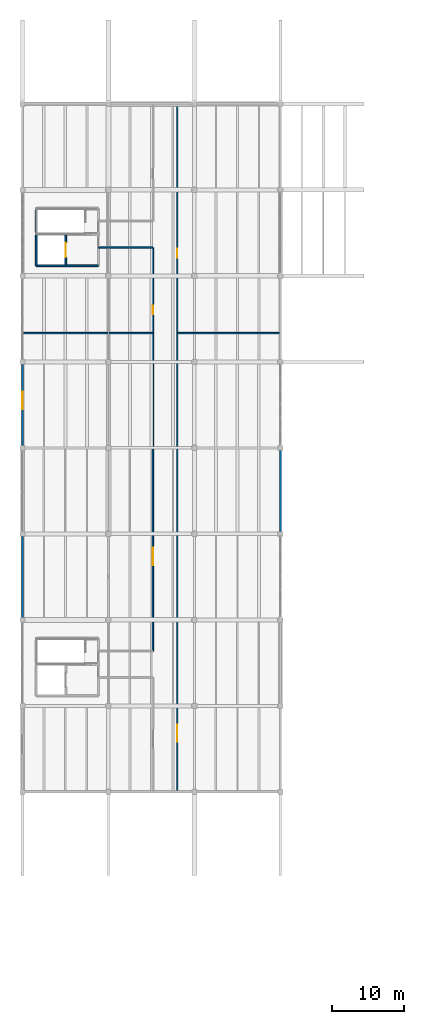
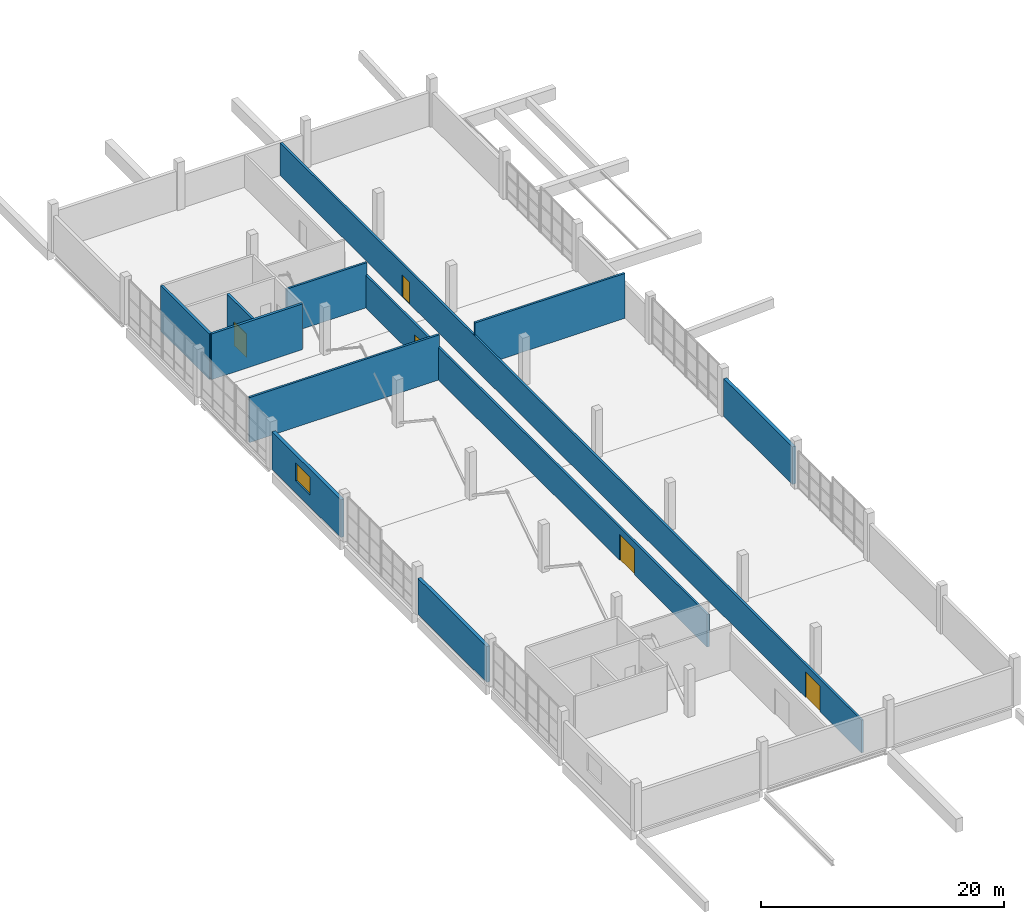
# One storey, part 39 of 49: 11 walls, 5 doors, 1 window, 6 openings.
"""IFC4 building model written with IfcOpenShell, lengths in metres."""

import ifcopenshell
import ifcopenshell.guid

model = None  # the IFC model being written
_history = None  # IfcOwnerHistory: only IFC2X3 demands one
_inside = {}  # id of a spatial element -> (the spatial element, [elements in it])
_under = {}  # id of a project, library or spatial element -> (it, [spatial elements below it])
_declared = {}  # id of a project -> (the project, [libraries it declares])
_typed = {}  # id of a type object -> (the type object, [elements of that type])
_made_of = {}  # id of a material, layer set ... -> (it, [elements and type objects made of it])


def new_model(schema):
    """Start an empty IFC model of exactly this schema.

    Asked for "IFC4X3", IfcOpenShell would pick the latest addendum, in which some entities
    have other attributes; the version numbers below select the first issue.
    IFC2X3 requires an IfcOwnerHistory on every rooted entity: one is made here for all.
    """
    global model, _history
    if schema == "IFC4X3":
        model = ifcopenshell.file(schema_version=(4, 3, 0, 0))
    else:
        model = ifcopenshell.file(schema=schema)
    _inside.clear()
    _under.clear()
    _declared.clear()
    _typed.clear()
    _made_of.clear()
    _history = None
    if model.schema == "IFC2X3":
        org = make("IfcOrganization", Name="unknown")
        user = make(
            "IfcPersonAndOrganization",
            ThePerson=make("IfcPerson", FamilyName="unknown"),
            TheOrganization=org,
        )
        app = make(
            "IfcApplication",
            ApplicationDeveloper=org,
            Version="unknown",
            ApplicationFullName="unknown",
            ApplicationIdentifier="unknown",
        )
        _history = make(
            "IfcOwnerHistory",
            OwningUser=user,
            OwningApplication=app,
            ChangeAction="ADDED",
            CreationDate=0,
        )
    return model


def make(cls, **values):
    """One entity of the class cls with the attributes given. An attribute that is None is left unset."""
    return model.create_entity(
        cls, **{name: value for name, value in values.items() if value is not None}
    )


def rooted(cls, **values):
    """An entity with a GlobalId (a new one), such as an element, a storey or a relation."""
    return make(cls, GlobalId=ifcopenshell.guid.new(), OwnerHistory=_history, **values)


def si_unit(unit_type, name, prefix=None):
    """IfcSIUnit, for example si_unit("LENGTHUNIT", "METRE", prefix="MILLI")."""
    return make("IfcSIUnit", UnitType=unit_type, Prefix=prefix, Name=name)


def assignment(units):
    """IfcUnitAssignment: the units of a project."""
    return None if units is None else make("IfcUnitAssignment", Units=units)


def point(xyz):
    """IfcCartesianPoint."""
    return None if xyz is None else make("IfcCartesianPoint", Coordinates=xyz)


def direction(xyz):
    """IfcDirection."""
    return None if xyz is None else make("IfcDirection", DirectionRatios=xyz)


def frame(location, z_axis=None, x_axis=None):
    """IfcAxis2Placement3D, a coordinate frame: its origin and axes. An axis left out is left unset."""
    return make(
        "IfcAxis2Placement3D",
        Location=point(location),
        Axis=direction(z_axis),
        RefDirection=direction(x_axis),
    )


def frame_2d(location, x_axis=None):
    """IfcAxis2Placement2D, a coordinate frame in the plane: its origin and x axis."""
    return make(
        "IfcAxis2Placement2D", Location=point(location), RefDirection=direction(x_axis)
    )


def origin():
    """The frame at (0, 0, 0) with its axes left unset."""
    return frame((0.0, 0.0, 0.0))


def place(relative_to, where):
    """IfcLocalPlacement: puts the frame where relative to a parent placement (None: the world)."""
    return make(
        "IfcLocalPlacement", PlacementRelTo=relative_to, RelativePlacement=where
    )


def context(
    kind, dimensions, precision=None, world=None, true_north=None, identifier=None
):
    """IfcGeometricRepresentationContext, for example the 3D "Model" context."""
    return make(
        "IfcGeometricRepresentationContext",
        ContextIdentifier=identifier,
        ContextType=kind,
        CoordinateSpaceDimension=dimensions,
        Precision=precision,
        WorldCoordinateSystem=world,
        TrueNorth=true_north,
    )


def subcontext(parent, identifier, kind, view, scale=None):
    """IfcGeometricRepresentationSubContext, for example "Body" below "Model"."""
    return make(
        "IfcGeometricRepresentationSubContext",
        ContextIdentifier=identifier,
        ContextType=kind,
        ParentContext=parent,
        TargetScale=scale,
        TargetView=view,
    )


def project(units=None, contexts=None):
    """IfcProject with its units and contexts."""
    return rooted(
        "IfcProject",
        Name="project",
        RepresentationContexts=contexts,
        UnitsInContext=assignment(units),
    )


def spatial(cls, under=None, at=None, **own):
    """A site, building, storey or space (cls), placed at a placement, below another one or the project."""
    s = rooted(cls, ObjectPlacement=at, **own)
    if under is not None:
        _under.setdefault(under.id(), (under, []))[1].append(s)
    return s


def profile(cls, at=None, kind="AREA", **sizes):
    """A parametric profile (cls). Its sizes go by their IFC names, for example OverallWidth=200.0."""
    return make(cls, ProfileType=kind, Position=at, **sizes)


def rectangle(**sizes):
    """IfcRectangleProfileDef."""
    return profile("IfcRectangleProfileDef", **sizes)


def extrude(swept, where, along, depth):
    """IfcExtrudedAreaSolid: the profile swept, set in the frame where, extruded along a direction by depth."""
    return make(
        "IfcExtrudedAreaSolid",
        SweptArea=swept,
        Position=where,
        ExtrudedDirection=direction(along),
        Depth=depth,
    )


def shape(context_of_items, identifier, shape_type, items):
    """IfcShapeRepresentation: the items that make up one representation, for example the "Body"."""
    return make(
        "IfcShapeRepresentation",
        ContextOfItems=context_of_items,
        RepresentationIdentifier=identifier,
        RepresentationType=shape_type,
        Items=items,
    )


def material(Name=None, Category=None):
    """IfcMaterial."""
    return make("IfcMaterial", Name=Name, Category=Category)


def layer(
    of_material, thickness, ventilated=None, Name=None, Category=None, Priority=None
):
    """IfcMaterialLayer: one layer of a wall or slab, of a material (None: an air gap)."""
    return make(
        "IfcMaterialLayer",
        Material=of_material,
        LayerThickness=thickness,
        IsVentilated=ventilated,
        Name=Name,
        Category=Category,
        Priority=Priority,
    )


def layer_set(layers, Name=None):
    """IfcMaterialLayerSet."""
    return make("IfcMaterialLayerSet", MaterialLayers=layers, LayerSetName=Name)


def made_of(thing, what):
    """Note that an element or type object is made of a material, layer set ...; save() writes the relation."""
    if what is not None:
        _made_of.setdefault(what.id(), (what, []))[1].append(thing)
    return thing


def type_object(cls, material=None, **own):
    """A type object (cls), such as IfcWallType, which elements share."""
    return made_of(rooted(cls, **own), material)


def element(
    cls,
    number,
    at=None,
    inside=None,
    cuts=None,
    type_object=None,
    material=None,
    context=None,
    identifier="Body",
    shape_type=None,
    held_by="IfcProductDefinitionShape",
    body=None,
    shapes=None,
    **own,
):
    """One element of the class cls, such as IfcWall. Its Tag is "e" and its number.

    at: its placement. inside: the storey or other place that contains it. cuts: it is an
    opening in that element (IfcRelVoidsElement). A single representation is given by context,
    identifier, shape_type and body (its items); several are given by shapes. held_by: the class
    of the entity that holds the representations. save() writes the other relations.
    """
    e = rooted(cls, Tag="e%d" % number, ObjectPlacement=at, **own)
    if body is not None:
        shapes = [shape(context, identifier, shape_type, body)]
    if shapes is not None:
        e.Representation = make(held_by, Representations=shapes)
    if inside is not None:
        _inside.setdefault(inside.id(), (inside, []))[1].append(e)
    if cuts is not None:
        rooted(
            "IfcRelVoidsElement", RelatingBuildingElement=cuts, RelatedOpeningElement=e
        )
    if type_object is not None:
        _typed.setdefault(type_object.id(), (type_object, []))[1].append(e)
    return made_of(e, material)


def fill(opening, filler):
    """IfcRelFillsElement: the door or window that sits in an opening."""
    return rooted(
        "IfcRelFillsElement",
        RelatingOpeningElement=opening,
        RelatedBuildingElement=filler,
    )


def aggregate(whole, parts):
    """IfcRelAggregates: a whole, such as a stair, and the parts it consists of."""
    return rooted("IfcRelAggregates", RelatingObject=whole, RelatedObjects=parts)


def save(model, path):
    """Write the relations noted so far, then the file.

    IfcRelAggregates (storeys below a building ...), IfcRelContainedInSpatialStructure (elements
    in a storey), IfcRelDefinesByType, IfcRelAssociatesMaterial and IfcRelDeclares: one each for
    every whole, place, type object, material and project.
    """
    for whole, parts in _under.values():
        aggregate(whole, parts)
    for where, things in _inside.values():
        rooted(
            "IfcRelContainedInSpatialStructure",
            RelatedElements=things,
            RelatingStructure=where,
        )
    for kind, things in _typed.values():
        rooted("IfcRelDefinesByType", RelatedObjects=things, RelatingType=kind)
    for what, things in _made_of.values():
        rooted("IfcRelAssociatesMaterial", RelatedObjects=things, RelatingMaterial=what)
    for by, libraries in _declared.values():
        rooted("IfcRelDeclares", RelatingContext=by, RelatedDefinitions=libraries)
    model.write(path)


model = new_model("IFC4")

# Units and contexts
model_context = context("Model", 3, precision=1e-05, world=origin(), true_north=direction((0.0, 1.0)))
body_context = subcontext(model_context, "Body", "Model", "MODEL_VIEW")
ifc_project = project(units=[si_unit("LENGTHUNIT", "METRE"), si_unit("AREAUNIT", "SQUARE_METRE"), si_unit("VOLUMEUNIT", "CUBIC_METRE"), si_unit("PLANEANGLEUNIT", "RADIAN"), si_unit("MASSUNIT", "GRAM", prefix="KILO")], contexts=[model_context])

# Site, building, storey
site_placement = place(None, origin())
site = spatial("IfcSite", under=ifc_project, at=site_placement, CompositionType="ELEMENT")
building_placement = place(site_placement, origin())
building = spatial("IfcBuilding", under=site, at=building_placement, Name="Kamomehara Wholesale Market", CompositionType="ELEMENT")
storey_placement = place(building_placement, frame((0.0, 0.0, 11.39990234375)))
storey = spatial("IfcBuildingStorey", under=building, at=storey_placement, Name="L02", CompositionType="ELEMENT", Elevation=11.39990234375)

# Wall
ifc_material_1 = material(Name="Polyurethane insulated metal panel")
ifc_layer_1 = layer(ifc_material_1, 0.320068359375)
ifc_layer_set_1 = layer_set([ifc_layer_1], Name="Polyurethane insulated metal panel")
wall_type_1 = type_object("IfcWallType", Name="EW-CLD-320", PredefinedType="SOLIDWALL", material=ifc_layer_set_1)
wall_1_placement = place(storey_placement, frame((0.0, 72.340087890625, 0.0), z_axis=(0.0, 0.0, 1.0), x_axis=(0.0, 1.0, 0.0)))
element("IfcWall", 1, at=wall_1_placement, inside=storey, type_object=wall_type_1, Name="Exterior wall EW-CLD-320 44", PredefinedType="SOLIDWALL", context=body_context, shape_type="SweptSolid", body=[
    extrude(rectangle(XDim=11.31982421875, YDim=0.320068359375, at=frame_2d((5.659912109375, 0.0))), origin(), (0.0, 0.0, 1.0), 3.60009765625),
])

# Wall, opening, window
wall_2_placement = place(storey_placement, frame((0.0, 96.340087890625, 0.0), z_axis=(0.0, 0.0, 1.0), x_axis=(0.0, 1.0, 0.0)))
wall_2 = element("IfcWall", 2, at=wall_2_placement, inside=storey, type_object=wall_type_1, Name="Exterior wall EW-CLD-320 45", PredefinedType="SOLIDWALL", context=body_context, shape_type="SweptSolid", body=[
    extrude(rectangle(XDim=11.31982421875, YDim=0.320068359375, at=frame_2d((5.659912109375, 0.0))), origin(), (0.0, 0.0, 1.0), 3.780029296875),
])
opening_1_placement = place(wall_2_placement, frame((5.06005859375, 0.0, 1.199951171875)))
opening_1 = element("IfcOpeningElement", 3, at=opening_1_placement, cuts=wall_2, Name="Opening WN-L02-006", PredefinedType="OPENING", context=body_context, shape_type="SweptSolid", body=[
    extrude(rectangle(XDim=2.39990234375, YDim=1.800048828125, at=frame_2d((1.199951171875, 0.89990234375))), frame((0.0, 0.1748046875, 0.0), z_axis=(0.0, -1.0, 0.0), x_axis=(1.0, 0.0, 0.0)), (0.0, 0.0, 1.0), 0.349853515625),
])
ifc_material_2 = material(Name="Solar-control Low-E double glazing", Category="glass")
window_type = type_object("IfcWindowType", Name="WIN-2400x1800", PartitioningType="SINGLE_PANEL", PredefinedType="WINDOW", material=ifc_material_2)
window_placement = place(opening_1_placement, origin())
window = element("IfcWindow", 4, at=window_placement, inside=storey, type_object=window_type, Name="Exterior window WN-L02-006", OverallHeight=1.800048828125, OverallWidth=2.39990234375, PartitioningType="SINGLE_PANEL", PredefinedType="WINDOW", context=body_context, shape_type="SweptSolid", body=[
    extrude(rectangle(XDim=2.39990234375, YDim=1.800048828125, at=frame_2d((1.199951171875, 0.89990234375))), frame((0.0, 0.030029296875, 0.0), z_axis=(0.0, -1.0, 0.0), x_axis=(1.0, 0.0, 0.0)), (0.0, 0.0, 1.0), 0.06005859375),
])
fill(opening_1, window)

# Wall
wall_3_placement = place(storey_placement, frame((36.0, 95.659912109375, 0.0), z_axis=(0.0, 0.0, 1.0), x_axis=(0.0, -1.0, 0.0)))
element("IfcWall", 5, at=wall_3_placement, inside=storey, type_object=wall_type_1, Name="Exterior wall EW-CLD-320 55", PredefinedType="SOLIDWALL", context=body_context, shape_type="SweptSolid", body=[
    extrude(rectangle(XDim=11.31982421875, YDim=0.320068359375, at=frame_2d((5.659912109375, 0.0))), origin(), (0.0, 0.0, 1.0), 3.780029296875),
])

# Wall, openings, doors
ifc_material_3 = material(Name="Gypsum board partition")
ifc_layer_2 = layer(ifc_material_3, 0.199951171875)
ifc_layer_set_2 = layer_set([ifc_layer_2], Name="Gypsum board partition")
wall_type_2 = type_object("IfcWallType", Name="IW-PRT-200", PredefinedType="PARTITIONING", material=ifc_layer_set_2)
wall_4_placement = place(storey_placement, frame((18.199951171875, 67.64990234375, 0.0), z_axis=(0.0, 0.0, 1.0), x_axis=(0.0, 1.0, 0.0)))
wall_4 = element("IfcWall", 6, at=wall_4_placement, inside=storey, type_object=wall_type_2, Name="Interior wall IW-PRT-200 346", PredefinedType="PARTITIONING", context=body_context, shape_type="SweptSolid", body=[
    extrude(rectangle(XDim=56.300048828125, YDim=0.199951171875, at=frame_2d((28.14990234375, 0.0))), origin(), (0.0, 0.0, 1.0), 3.28515625),
])
opening_2_placement = place(wall_4_placement, frame((12.0, 0.0, 0.0)))
opening_2 = element("IfcOpeningElement", 7, at=opening_2_placement, cuts=wall_4, Name="Opening ID-L02-216", PredefinedType="OPENING", context=body_context, shape_type="SweptSolid", body=[
    extrude(rectangle(XDim=2.39990234375, YDim=2.60009765625, at=frame_2d((1.199951171875, 1.300048828125))), frame((0.0, 0.11474609375, 0.0), z_axis=(0.0, -1.0, 0.0), x_axis=(1.0, 0.0, 0.0)), (0.0, 0.0, 1.0), 0.229736328125),
])
opening_3_placement = place(wall_4_placement, frame((47.0, 0.0, 0.0)))
opening_3 = element("IfcOpeningElement", 8, at=opening_3_placement, cuts=wall_4, Name="Opening ID-L02-217", PredefinedType="OPENING", context=body_context, shape_type="SweptSolid", body=[
    extrude(rectangle(XDim=1.199951171875, YDim=2.199951171875, at=frame_2d((0.60009765625, 1.10009765625))), frame((0.0, 0.11474609375, 0.0), z_axis=(0.0, -1.0, 0.0), x_axis=(1.0, 0.0, 0.0)), (0.0, 0.0, 1.0), 0.229736328125),
])
ifc_material_4 = material(Name="Steel SN400B", Category="steel")
door_type_1 = type_object("IfcDoorType", Name="IDR-CL-2400x2600", OperationType="NOTDEFINED", PredefinedType="DOOR", material=ifc_material_4)
door_1_placement = place(opening_2_placement, origin())
door_1 = element("IfcDoor", 9, at=door_1_placement, inside=storey, type_object=door_type_1, Name="Interior door ID-L02-216", OperationType="SINGLE_SWING_RIGHT", OverallHeight=2.60009765625, OverallWidth=2.39990234375, PredefinedType="DOOR", context=body_context, shape_type="SweptSolid", body=[
    extrude(rectangle(XDim=2.39990234375, YDim=2.60009765625, at=frame_2d((1.199951171875, 1.300048828125))), frame((0.0, 0.02490234375, 0.0), z_axis=(0.0, -1.0, 0.0), x_axis=(1.0, 0.0, 0.0)), (0.0, 0.0, 1.0), 0.050048828125),
])
fill(opening_2, door_1)
ifc_material_5 = material(Name="Steel SN400B", Category="steel")
door_type_2 = type_object("IfcDoorType", Name="IDR-FD-1200x2200", OperationType="NOTDEFINED", PredefinedType="DOOR", material=ifc_material_5)
door_2_placement = place(opening_3_placement, origin())
door_2 = element("IfcDoor", 10, at=door_2_placement, inside=storey, type_object=door_type_2, Name="Interior door ID-L02-217", OperationType="SINGLE_SWING_LEFT", OverallHeight=2.199951171875, OverallWidth=1.199951171875, PredefinedType="DOOR", context=body_context, shape_type="SweptSolid", body=[
    extrude(rectangle(XDim=1.199951171875, YDim=2.199951171875, at=frame_2d((0.60009765625, 1.10009765625))), frame((0.0, 0.02490234375, 0.0), z_axis=(0.0, -1.0, 0.0), x_axis=(1.0, 0.0, 0.0)), (0.0, 0.0, 1.0), 0.050048828125),
])
fill(opening_3, door_2)

# Walls
wall_5_placement = place(storey_placement, frame((10.60009765625, 123.949951171875, 0.0), z_axis=(0.0, 0.0, 1.0), x_axis=(1.0, 0.0, 0.0)))
element("IfcWall", 11, at=wall_5_placement, inside=storey, type_object=wall_type_2, Name="Interior wall IW-PRT-200 347", PredefinedType="PARTITIONING", context=body_context, shape_type="SweptSolid", body=[
    extrude(rectangle(XDim=7.599853515625, YDim=0.199951171875, at=frame_2d((3.7998046875, 0.0))), origin(), (0.0, 0.0, 1.0), 4.52001953125),
])
wall_6_placement = place(storey_placement, frame((0.159912109375, 112.0, 0.0), z_axis=(0.0, 0.0, 1.0), x_axis=(1.0, 0.0, 0.0)))
element("IfcWall", 12, at=wall_6_placement, inside=storey, type_object=wall_type_2, Name="Interior wall IW-PRT-200 350", PredefinedType="PARTITIONING", context=body_context, shape_type="SweptSolid", body=[
    extrude(rectangle(XDim=18.0400390625, YDim=0.199951171875, at=frame_2d((9.02001953125, 0.0))), origin(), (0.0, 0.0, 1.0), 4.52001953125),
])
wall_7_placement = place(storey_placement, frame((21.60009765625, 112.0, 0.0), z_axis=(0.0, 0.0, 1.0), x_axis=(1.0, 0.0, 0.0)))
element("IfcWall", 13, at=wall_7_placement, inside=storey, type_object=wall_type_2, Name="Interior wall IW-PRT-200 351", PredefinedType="PARTITIONING", context=body_context, shape_type="SweptSolid", body=[
    extrude(rectangle(XDim=14.239990234375, YDim=0.199951171875, at=frame_2d((7.1201171875, 0.0))), origin(), (0.0, 0.0, 1.0), 4.52001953125),
])

# Wall, openings, doors
wall_8_placement = place(storey_placement, frame((21.60009765625, 48.159912109375, 0.0), z_axis=(0.0, 0.0, 1.0), x_axis=(0.0, 1.0, 0.0)))
wall_8 = element("IfcWall", 14, at=wall_8_placement, inside=storey, type_object=wall_type_2, Name="Interior wall IW-PRT-200 352", PredefinedType="PARTITIONING", context=body_context, shape_type="SweptSolid", body=[
    extrude(rectangle(XDim=95.68017578125, YDim=0.199951171875, at=frame_2d((47.840087890625, 0.0))), origin(), (0.0, 0.0, 1.0), 3.28515625),
])
opening_4_placement = place(wall_8_placement, frame((6.800048828125, 0.0, 0.0)))
opening_4 = element("IfcOpeningElement", 15, at=opening_4_placement, cuts=wall_8, Name="Opening ID-L02-219", PredefinedType="OPENING", context=body_context, shape_type="SweptSolid", body=[
    extrude(rectangle(XDim=2.39990234375, YDim=2.60009765625, at=frame_2d((1.199951171875, 1.300048828125))), frame((0.0, 0.11474609375, 0.0), z_axis=(0.0, -1.0, 0.0), x_axis=(1.0, 0.0, 0.0)), (0.0, 0.0, 1.0), 0.229736328125),
])
opening_5_placement = place(wall_8_placement, frame((74.39990234375, 0.0, 0.0)))
opening_5 = element("IfcOpeningElement", 16, at=opening_5_placement, cuts=wall_8, Name="Opening ID-L02-220", PredefinedType="OPENING", context=body_context, shape_type="SweptSolid", body=[
    extrude(rectangle(XDim=1.199951171875, YDim=2.199951171875, at=frame_2d((0.60009765625, 1.10009765625))), frame((0.0, 0.11474609375, 0.0), z_axis=(0.0, -1.0, 0.0), x_axis=(1.0, 0.0, 0.0)), (0.0, 0.0, 1.0), 0.229736328125),
])
door_3_placement = place(opening_4_placement, origin())
door_3 = element("IfcDoor", 17, at=door_3_placement, inside=storey, type_object=door_type_1, Name="Interior door ID-L02-219", OperationType="SINGLE_SWING_LEFT", OverallHeight=2.60009765625, OverallWidth=2.39990234375, PredefinedType="DOOR", context=body_context, shape_type="SweptSolid", body=[
    extrude(rectangle(XDim=2.39990234375, YDim=2.60009765625, at=frame_2d((1.199951171875, 1.300048828125))), frame((0.0, 0.02490234375, 0.0), z_axis=(0.0, -1.0, 0.0), x_axis=(1.0, 0.0, 0.0)), (0.0, 0.0, 1.0), 0.050048828125),
])
fill(opening_4, door_3)
door_4_placement = place(opening_5_placement, origin())
door_4 = element("IfcDoor", 18, at=door_4_placement, inside=storey, type_object=door_type_2, Name="Interior door ID-L02-220", OperationType="SINGLE_SWING_RIGHT", OverallHeight=2.199951171875, OverallWidth=1.199951171875, PredefinedType="DOOR", context=body_context, shape_type="SweptSolid", body=[
    extrude(rectangle(XDim=1.199951171875, YDim=2.199951171875, at=frame_2d((0.60009765625, 1.10009765625))), frame((0.0, 0.02490234375, 0.0), z_axis=(0.0, -1.0, 0.0), x_axis=(1.0, 0.0, 0.0)), (0.0, 0.0, 1.0), 0.050048828125),
])
fill(opening_5, door_4)

# Wall, opening, door
ifc_material_6 = material(Name="Concrete Fc36 (C35/45)", Category="concrete")
ifc_layer_3 = layer(ifc_material_6, 0.219970703125)
ifc_layer_set_3 = layer_set([ifc_layer_3], Name="Concrete Fc36 (C35/45)")
wall_type_3 = type_object("IfcWallType", Name="IW-SHR-220", PredefinedType="SHEAR", material=ifc_layer_set_3)
wall_9_placement = place(storey_placement, frame((6.0400390625, 121.52001953125, 0.0), z_axis=(0.0, 0.0, 1.0), x_axis=(0.0, 1.0, 0.0)))
wall_9 = element("IfcWall", 19, at=wall_9_placement, inside=storey, type_object=wall_type_3, Name="Interior wall IW-SHR-220 60", PredefinedType="SHEAR", context=body_context, shape_type="SweptSolid", body=[
    extrude(rectangle(XDim=4.139892578125, YDim=0.219970703125, at=frame_2d((2.06982421875, 0.0))), origin(), (0.0, 0.0, 1.0), 4.590087890625),
])
opening_6_placement = place(wall_9_placement, frame((1.070068359375, 0.0, 0.0)))
opening_6 = element("IfcOpeningElement", 20, at=opening_6_placement, cuts=wall_9, Name="Opening LD-LF-03-L02", PredefinedType="OPENING", context=body_context, shape_type="SweptSolid", body=[
    extrude(rectangle(XDim=2.0, YDim=2.39990234375, at=frame_2d((1.0, 1.199951171875))), frame((0.0, 0.125, 0.0), z_axis=(0.0, -1.0, 0.0), x_axis=(1.0, 0.0, 0.0)), (0.0, 0.0, 1.0), 0.249755859375),
])
ifc_material_7 = material(Name="Steel SN400B", Category="steel")
door_type_3 = type_object("IfcDoorType", Name="LDR-GDS-2000x2400", OperationType="DOUBLE_DOOR_SLIDING", PredefinedType="DOOR", material=ifc_material_7)
door_5_placement = place(opening_6_placement, origin())
door_5 = element("IfcDoor", 21, at=door_5_placement, inside=storey, type_object=door_type_3, Name="Lift sliding landing door LD-LF-03-L02", OperationType="DOUBLE_DOOR_SLIDING", OverallHeight=2.39990234375, OverallWidth=2.0, PredefinedType="DOOR", context=body_context, shape_type="SweptSolid", body=[
    extrude(rectangle(XDim=2.0, YDim=2.39990234375, at=frame_2d((1.0, 1.199951171875))), frame((0.0, 0.02490234375, 0.0), z_axis=(0.0, -1.0, 0.0), x_axis=(1.0, 0.0, 0.0)), (0.0, 0.0, 1.0), 0.050048828125),
])
fill(opening_6, door_5)

# Walls
ifc_material_8 = material(Name="Concrete Fc36 (C35/45)", Category="concrete")
ifc_layer_4 = layer(ifc_material_8, 0.239990234375)
ifc_layer_set_4 = layer_set([ifc_layer_4], Name="Concrete Fc36 (C35/45)")
wall_type_4 = type_object("IfcWallType", Name="IW-SHR-240", PredefinedType="SHEAR", material=ifc_layer_set_4)
wall_10_placement = place(storey_placement, frame((1.929931640625, 129.419921875, 0.0), z_axis=(0.0, 0.0, 1.0), x_axis=(0.0, -1.0, 0.0)))
element("IfcWall", 22, at=wall_10_placement, inside=storey, type_object=wall_type_4, Name="Interior wall IW-SHR-240 56", PredefinedType="SHEAR", context=body_context, shape_type="SweptSolid", body=[
    extrude(rectangle(XDim=8.02001953125, YDim=0.239990234375, at=frame_2d((4.010009765625, 0.0))), origin(), (0.0, 0.0, 1.0), 4.590087890625),
])
wall_11_placement = place(storey_placement, frame((1.929931640625, 121.39990234375, 0.0), z_axis=(0.0, 0.0, 1.0), x_axis=(1.0, 0.0, 0.0)))
element("IfcWall", 23, at=wall_11_placement, inside=storey, type_object=wall_type_4, Name="Interior wall IW-SHR-240 57", PredefinedType="SHEAR", context=body_context, shape_type="SweptSolid", body=[
    extrude(rectangle(XDim=8.670166015625, YDim=0.239990234375, at=frame_2d((4.3349609375, 0.0))), origin(), (0.0, 0.0, 1.0), 4.590087890625),
])

save(model, "model.ifc")
